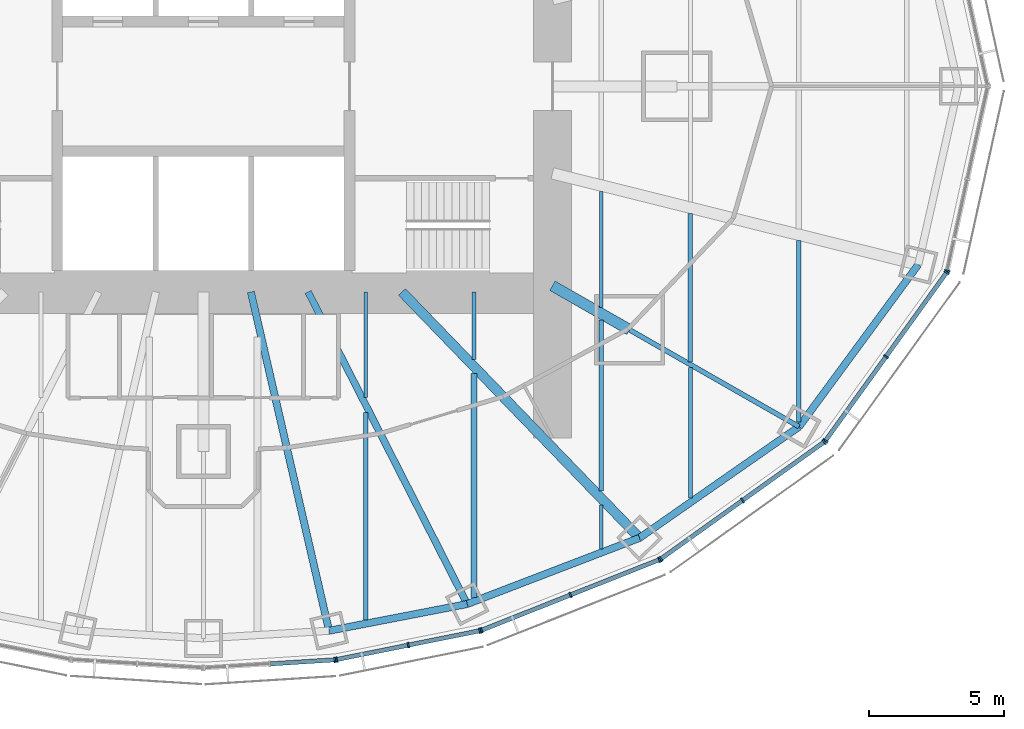
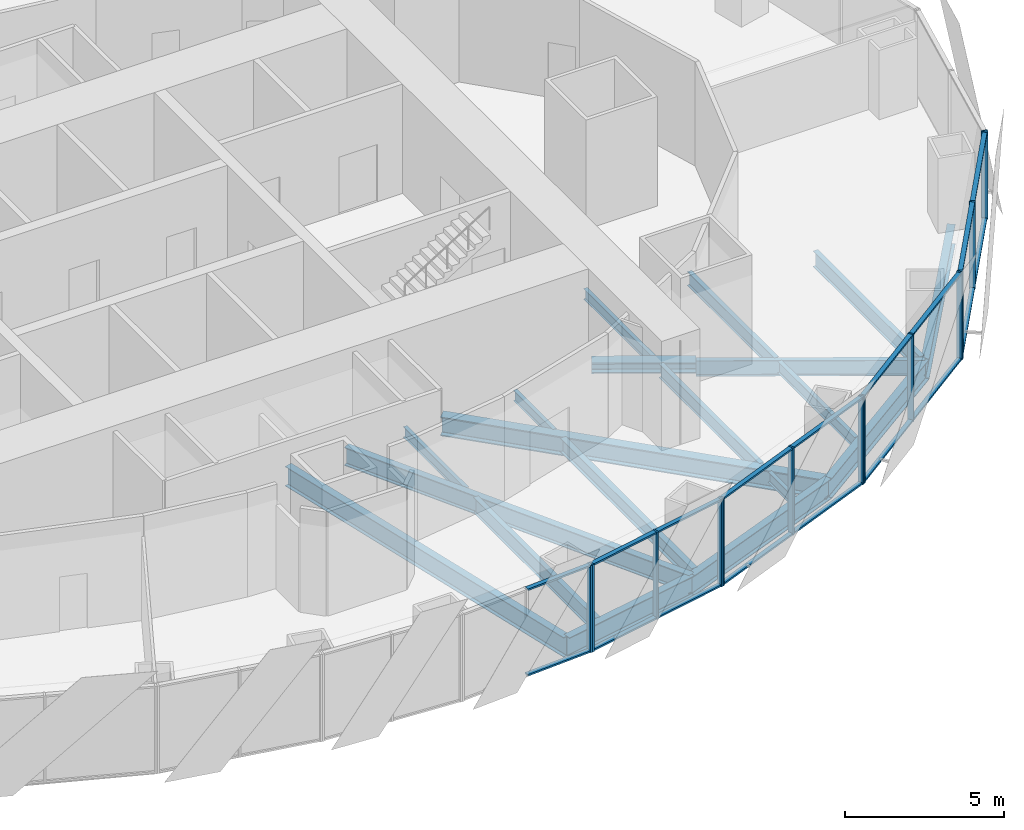
# One storey, part 5 of 18: 32 members, 19 beams, 6 elements without a shape of their own.
"""IFC4 building model written with IfcOpenShell, lengths in metres."""

from ifc_helpers import new_model, si_unit, direction, frame, origin, origin_2d, place, context, subcontext, project, spatial, rectangle, i_section, extrude, material, material_profile, profile_set, type_object, element, aggregate, save


model = new_model("IFC4")

# Units and contexts
model_context = context("Model", 3, precision=1e-05, world=origin(), true_north=direction((0.0, 1.0)))
body_context = subcontext(model_context, "Body", "Model", "MODEL_VIEW")
ifc_project = project(units=[si_unit("LENGTHUNIT", "METRE"), si_unit("AREAUNIT", "SQUARE_METRE"), si_unit("VOLUMEUNIT", "CUBIC_METRE"), si_unit("PLANEANGLEUNIT", "RADIAN"), si_unit("MASSUNIT", "GRAM", prefix="KILO")], contexts=[model_context])

# Site, building, storey
site_placement = place(None, origin())
site = spatial("IfcSite", under=ifc_project, at=site_placement, CompositionType="ELEMENT")
building_placement = place(site_placement, origin())
building = spatial("IfcBuilding", under=site, at=building_placement, Name="Lantaw Convention Tower", CompositionType="ELEMENT")
storey_placement = place(building_placement, frame((0.0, 0.0, 188.800048828125)))
storey = spatial("IfcBuildingStorey", under=building, at=storey_placement, Name="L44", CompositionType="ELEMENT", Elevation=188.800048828125)

# Beams
ifc_material_1 = material(Name="Steel ASTM A992", Category="steel")
ifc_material_profile_1 = material_profile(ifc_material_1, i_section(OverallWidth=0.2666015625, OverallDepth=0.76953125, WebThickness=0.015625, FlangeThickness=0.025390625, FilletRadius=0.0126953125, at=origin_2d()), Name="W30X132")
ifc_profile_set_1 = profile_set([ifc_material_profile_1], Name="Steel ASTM A992")
beam_type_1 = type_object("IfcBeamType", Name="Beam E W30X132", PredefinedType="SPANDREL", material=ifc_profile_set_1)
beam_1_placement = place(storey_placement, frame((4.64501953125, -20.1201171875, -0.534912109375), z_axis=(0.981796805654, 0.189934284446, 0.0), x_axis=(-0.189934284446, 0.981796805654, 0.0)))
element("IfcBeam", 1, at=beam_1_placement, inside=storey, type_object=beam_type_1, Name="Edge beam 20", PredefinedType="SPANDREL", context=body_context, shape_type="SweptSolid", body=[
    extrude(i_section(OverallWidth=0.2666015625, OverallDepth=0.76953125, WebThickness=0.015625, FlangeThickness=0.025390625, FilletRadius=0.0126953125, at=origin_2d()), origin(), (0.0, 0.0, 1.0), 5.1982421875),
])
beam_2_placement = place(storey_placement, frame((9.74853515625, -19.1328125, -0.534912109375), z_axis=(0.933691081977, 0.358079549033, 0.0), x_axis=(-0.358079549033, 0.933691081977, 0.0)))
element("IfcBeam", 2, at=beam_2_placement, inside=storey, type_object=beam_type_1, Name="Edge beam 21", PredefinedType="SPANDREL", context=body_context, shape_type="SweptSolid", body=[
    extrude(i_section(OverallWidth=0.2666015625, OverallDepth=0.76953125, WebThickness=0.015625, FlangeThickness=0.025390625, FilletRadius=0.0126953125, at=origin_2d()), origin(), (0.0, 0.0, 1.0), 6.821533203125),
])
beam_3_placement = place(storey_placement, frame((16.11767578125, -16.690185546875, -0.534912109375), z_axis=(0.820310765287, 0.57191804339, 0.0), x_axis=(-0.57191804339, 0.820310765287, 0.0)))
element("IfcBeam", 3, at=beam_3_placement, inside=storey, type_object=beam_type_1, Name="Edge beam 22", PredefinedType="SPANDREL", context=body_context, shape_type="SweptSolid", body=[
    extrude(i_section(OverallWidth=0.2666015625, OverallDepth=0.76953125, WebThickness=0.015625, FlangeThickness=0.025390625, FilletRadius=0.0126953125, at=origin_2d()), origin(), (0.0, 0.0, 1.0), 7.187744140625),
])
beam_4_placement = place(storey_placement, frame((22.013916015625, -12.579345703125, -0.534912109375), z_axis=(0.5923891972, 0.805651934176, 0.0), x_axis=(-0.805651934176, 0.5923891972, 0.0)))
element("IfcBeam", 4, at=beam_4_placement, inside=storey, type_object=beam_type_1, Name="Edge beam 23", PredefinedType="SPANDREL", context=body_context, shape_type="SweptSolid", body=[
    extrude(i_section(OverallWidth=0.2666015625, OverallDepth=0.76953125, WebThickness=0.015625, FlangeThickness=0.025390625, FilletRadius=0.0126953125, at=origin_2d()), origin(), (0.0, 0.0, 1.0), 7.437744140625),
])
ifc_material_profile_2 = material_profile(ifc_material_1, i_section(OverallWidth=0.177978515625, OverallDepth=0.599365234375, WebThickness=0.010009765625, FlangeThickness=0.012939453125, FilletRadius=0.012939453125, at=origin_2d()), Name="W24X55")
ifc_profile_set_2 = profile_set([ifc_material_profile_2], Name="Steel ASTM A992")
beam_type_2 = type_object("IfcBeamType", Name="Beam G W24X55", PredefinedType="BEAM", material=ifc_profile_set_2)
beam_5_placement = place(storey_placement, frame((15.75, -9.0, -0.44970703125), z_axis=(0.868245224608, -0.496135293993, 0.0), x_axis=(0.496135293993, 0.868245224608, 0.0)))
element("IfcBeam", 5, at=beam_5_placement, inside=storey, type_object=beam_type_2, Name="Floor girder on ray 23", PredefinedType="BEAM", context=body_context, shape_type="SweptSolid", body=[
    extrude(i_section(OverallWidth=0.177978515625, OverallDepth=0.599365234375, WebThickness=0.010009765625, FlangeThickness=0.012939453125, FilletRadius=0.012939453125, at=origin_2d()), origin(), (0.0, 0.0, 1.0), 7.21435546875),
])
ifc_material_profile_3 = material_profile(ifc_material_1, i_section(OverallWidth=0.25390625, OverallDepth=0.700927734375, WebThickness=0.015380859375, FlangeThickness=0.02783203125, FilletRadius=0.01513671875, at=origin_2d()), Name="W27X129")
ifc_profile_set_3 = profile_set([ifc_material_profile_3], Name="Steel ASTM A992")
beam_type_3 = type_object("IfcBeamType", Name="Beam G W27X129", PredefinedType="BEAM", material=ifc_profile_set_3)
beam_6_placement = place(storey_placement, frame((3.872314453125, -7.60009765625, -0.50048828125), z_axis=(0.453991051051, -0.891006243281, 0.0), x_axis=(0.891006243281, 0.453991051051, 0.0)))
element("IfcBeam", 6, at=beam_6_placement, inside=storey, type_object=beam_type_3, Name="Floor girder on ray 21", PredefinedType="BEAM", context=body_context, shape_type="SweptSolid", body=[
    extrude(i_section(OverallWidth=0.25390625, OverallDepth=0.700927734375, WebThickness=0.015380859375, FlangeThickness=0.02783203125, FilletRadius=0.01513671875, at=origin_2d()), origin(), (0.0, 0.0, 1.0), 12.943359375),
])
ifc_material_profile_4 = material_profile(ifc_material_1, i_section(OverallWidth=0.360595703125, OverallDepth=0.72900390625, WebThickness=0.023193359375, FlangeThickness=0.041015625, FilletRadius=0.0126953125, at=origin_2d()), Name="W27X235")
ifc_profile_set_4 = profile_set([ifc_material_profile_4], Name="Steel ASTM A992")
beam_type_4 = type_object("IfcBeamType", Name="Beam G W27X235", PredefinedType="BEAM", material=ifc_profile_set_4)
beam_7_placement = place(storey_placement, frame((7.33935546875, -7.60009765625, -0.5146484375), z_axis=(0.694663467407, -0.719334878239, 0.0), x_axis=(0.719334878239, 0.694663467407, 0.0)))
element("IfcBeam", 7, at=beam_7_placement, inside=storey, type_object=beam_type_4, Name="Floor girder on ray 22", PredefinedType="BEAM", context=body_context, shape_type="SweptSolid", body=[
    extrude(i_section(OverallWidth=0.360595703125, OverallDepth=0.72900390625, WebThickness=0.023193359375, FlangeThickness=0.041015625, FilletRadius=0.0126953125, at=origin_2d()), origin(), (0.0, 0.0, 1.0), 12.63671875),
])
ifc_material_profile_5 = material_profile(ifc_material_1, i_section(OverallWidth=0.2666015625, OverallDepth=0.7568359375, WebThickness=0.013916015625, FlangeThickness=0.019287109375, FilletRadius=0.0126953125, at=origin_2d()), Name="W30X108")
ifc_profile_set_5 = profile_set([ifc_material_profile_5], Name="Steel ASTM A992")
beam_type_5 = type_object("IfcBeamType", Name="Beam G W30X108", PredefinedType="BEAM", material=ifc_profile_set_5)
beam_8_placement = place(storey_placement, frame((1.754638671875, -7.60009765625, -0.528564453125), z_axis=(0.224944153104, -0.974371658036, 0.0), x_axis=(0.974371658036, 0.224944153104, 0.0)))
element("IfcBeam", 8, at=beam_8_placement, inside=storey, type_object=beam_type_5, Name="Floor girder on ray 20", PredefinedType="BEAM", context=body_context, shape_type="SweptSolid", body=[
    extrude(i_section(OverallWidth=0.2666015625, OverallDepth=0.7568359375, WebThickness=0.013916015625, FlangeThickness=0.019287109375, FilletRadius=0.0126953125, at=origin_2d()), origin(), (0.0, 0.0, 1.0), 12.849365234375),
])
ifc_material_profile_6 = material_profile(ifc_material_1, i_section(OverallWidth=0.40380859375, OverallDepth=0.406494140625, WebThickness=0.027099609375, FlangeThickness=0.043701171875, FilletRadius=0.01513671875, at=origin_2d()), Name="W14X233")
ifc_profile_set_6 = profile_set([ifc_material_profile_6], Name="Steel ASTM A992")
beam_type_6 = type_object("IfcBeamType", Name="Beam GM W14X233", PredefinedType="BEAM", material=ifc_profile_set_6)
beam_9_placement = place(storey_placement, frame((12.89990234375, -7.371337890625, -0.353271484375), z_axis=(0.868238565244, -0.496146947811, 0.0), x_axis=(0.496146947811, 0.868238565244, 0.0)))
element("IfcBeam", 9, at=beam_9_placement, inside=storey, type_object=beam_type_6, Name="Core link beam on ray 23", PredefinedType="BEAM", context=body_context, shape_type="SweptSolid", body=[
    extrude(i_section(OverallWidth=0.40380859375, OverallDepth=0.406494140625, WebThickness=0.027099609375, FlangeThickness=0.043701171875, FilletRadius=0.01513671875, at=origin_2d()), origin(), (0.0, 0.0, 1.0), 3.28271484375),
])
ifc_material_profile_7 = material_profile(ifc_material_1, i_section(OverallWidth=0.140380859375, OverallDepth=0.40380859375, WebThickness=0.007080078125, FlangeThickness=0.01123046875, FilletRadius=0.01025390625, at=origin_2d()), Name="W16X31")
ifc_profile_set_7 = profile_set([ifc_material_profile_7], Name="Steel ASTM A992")
beam_type_7 = type_object("IfcBeamType", Name="Beam J W16X31", PredefinedType="JOIST", material=ifc_profile_set_7)
beam_10_placement = place(storey_placement, frame((6.0, -11.495849609375, -0.35205078125), z_axis=(0.0, 1.0, 0.0), x_axis=(-1.0, 0.0, 0.0)))
element("IfcBeam", 10, at=beam_10_placement, inside=storey, type_object=beam_type_7, Name="Floor joist", PredefinedType="JOIST", context=body_context, shape_type="SweptSolid", body=[
    extrude(i_section(OverallWidth=0.140380859375, OverallDepth=0.40380859375, WebThickness=0.007080078125, FlangeThickness=0.01123046875, FilletRadius=0.01025390625, at=origin_2d()), origin(), (0.0, 0.0, 1.0), 3.895751953125),
])
beam_11_placement = place(storey_placement, frame((10.0, -10.095703125, -0.35205078125), z_axis=(0.0, 1.0, 0.0), x_axis=(-1.0, 0.0, 0.0)))
element("IfcBeam", 11, at=beam_11_placement, inside=storey, type_object=beam_type_7, Name="Floor joist", PredefinedType="JOIST", context=body_context, shape_type="SweptSolid", body=[
    extrude(i_section(OverallWidth=0.140380859375, OverallDepth=0.40380859375, WebThickness=0.007080078125, FlangeThickness=0.01123046875, FilletRadius=0.01025390625, at=origin_2d()), origin(), (0.0, 0.0, 1.0), 2.49560546875),
])
beam_12_placement = place(storey_placement, frame((14.699951171875, -17.091064453125, -0.35205078125), z_axis=(0.0, 1.0, 0.0), x_axis=(-1.0, 0.0, 0.0)))
element("IfcBeam", 12, at=beam_12_placement, inside=storey, type_object=beam_type_7, Name="Floor joist", PredefinedType="JOIST", context=body_context, shape_type="SweptSolid", body=[
    extrude(i_section(OverallWidth=0.140380859375, OverallDepth=0.40380859375, WebThickness=0.007080078125, FlangeThickness=0.01123046875, FilletRadius=0.01025390625, at=origin_2d()), origin(), (0.0, 0.0, 1.0), 1.609130859375),
])
beam_13_placement = place(storey_placement, frame((14.699951171875, -8.16748046875, -0.35205078125), z_axis=(0.0, 1.0, 0.0), x_axis=(-1.0, 0.0, 0.0)))
element("IfcBeam", 13, at=beam_13_placement, inside=storey, type_object=beam_type_7, Name="Floor joist", PredefinedType="JOIST", context=body_context, shape_type="SweptSolid", body=[
    extrude(i_section(OverallWidth=0.140380859375, OverallDepth=0.40380859375, WebThickness=0.007080078125, FlangeThickness=0.01123046875, FilletRadius=0.01025390625, at=origin_2d()), origin(), (0.0, 0.0, 1.0), 4.28515625),
])
ifc_material_profile_8 = material_profile(ifc_material_1, i_section(OverallWidth=0.15234375, OverallDepth=0.449462890625, WebThickness=0.007568359375, FlangeThickness=0.0107421875, FilletRadius=0.01025390625, at=origin_2d()), Name="W18X35")
ifc_profile_set_8 = profile_set([ifc_material_profile_8], Name="Steel ASTM A992")
beam_type_8 = type_object("IfcBeamType", Name="Beam J W18X35", PredefinedType="JOIST", material=ifc_profile_set_8)
beam_14_placement = place(storey_placement, frame((18.0, -15.21533203125, -0.374755859375), z_axis=(0.0, 1.0, 0.0), x_axis=(-1.0, 0.0, 0.0)))
element("IfcBeam", 14, at=beam_14_placement, inside=storey, type_object=beam_type_8, Name="Floor joist", PredefinedType="JOIST", context=body_context, shape_type="SweptSolid", body=[
    extrude(i_section(OverallWidth=0.15234375, OverallDepth=0.449462890625, WebThickness=0.007568359375, FlangeThickness=0.0107421875, FilletRadius=0.01025390625, at=origin_2d()), origin(), (0.0, 0.0, 1.0), 4.8271484375),
])
ifc_material_profile_9 = material_profile(ifc_material_1, i_section(OverallWidth=0.1650390625, OverallDepth=0.52587890625, WebThickness=0.0087890625, FlangeThickness=0.011474609375, FilletRadius=0.0126953125, at=origin_2d()), Name="W21X44")
ifc_profile_set_9 = profile_set([ifc_material_profile_9], Name="Steel ASTM A992")
beam_type_9 = type_object("IfcBeamType", Name="Beam J W21X44", PredefinedType="JOIST", material=ifc_profile_set_9)
beam_15_placement = place(storey_placement, frame((14.699951171875, -14.962646484375, -0.412841796875), z_axis=(0.0, 1.0, 0.0), x_axis=(-1.0, 0.0, 0.0)))
element("IfcBeam", 15, at=beam_15_placement, inside=storey, type_object=beam_type_9, Name="Floor joist", PredefinedType="JOIST", context=body_context, shape_type="SweptSolid", body=[
    extrude(i_section(OverallWidth=0.1650390625, OverallDepth=0.52587890625, WebThickness=0.0087890625, FlangeThickness=0.011474609375, FilletRadius=0.0126953125, at=origin_2d()), origin(), (0.0, 0.0, 1.0), 6.330078125),
])
beam_16_placement = place(storey_placement, frame((18.0, -10.18310546875, -0.412841796875), z_axis=(0.0, 1.0, 0.0), x_axis=(-1.0, 0.0, 0.0)))
element("IfcBeam", 16, at=beam_16_placement, inside=storey, type_object=beam_type_9, Name="Floor joist", PredefinedType="JOIST", context=body_context, shape_type="SweptSolid", body=[
    extrude(i_section(OverallWidth=0.1650390625, OverallDepth=0.52587890625, WebThickness=0.0087890625, FlangeThickness=0.011474609375, FilletRadius=0.0126953125, at=origin_2d()), origin(), (0.0, 0.0, 1.0), 5.47802734375),
])
ifc_material_profile_10 = material_profile(ifc_material_1, i_section(OverallWidth=0.2099609375, OverallDepth=0.535888671875, WebThickness=0.010986328125, FlangeThickness=0.017333984375, FilletRadius=0.012939453125, at=origin_2d()), Name="W21X68")
ifc_profile_set_10 = profile_set([ifc_material_profile_10], Name="Steel ASTM A992")
beam_type_10 = type_object("IfcBeamType", Name="Beam J W21X68", PredefinedType="JOIST", material=ifc_profile_set_10)
beam_17_placement = place(storey_placement, frame((10.0, -18.8935546875, -0.41796875), z_axis=(0.0, 1.0, 0.0), x_axis=(-1.0, 0.0, 0.0)))
element("IfcBeam", 17, at=beam_17_placement, inside=storey, type_object=beam_type_10, Name="Floor joist", PredefinedType="JOIST", context=body_context, shape_type="SweptSolid", body=[
    extrude(i_section(OverallWidth=0.2099609375, OverallDepth=0.535888671875, WebThickness=0.010986328125, FlangeThickness=0.017333984375, FilletRadius=0.012939453125, at=origin_2d()), origin(), (0.0, 0.0, 1.0), 8.278564453125),
])
ifc_material_profile_11 = material_profile(ifc_material_1, i_section(OverallWidth=0.177978515625, OverallDepth=0.599365234375, WebThickness=0.010009765625, FlangeThickness=0.012939453125, FilletRadius=0.012939453125, at=origin_2d()), Name="W24X55")
ifc_profile_set_11 = profile_set([ifc_material_profile_11], Name="Steel ASTM A992")
beam_type_11 = type_object("IfcBeamType", Name="Beam J W24X55", PredefinedType="JOIST", material=ifc_profile_set_11)
beam_18_placement = place(storey_placement, frame((6.0, -19.72216796875, -0.44970703125), z_axis=(0.0, 1.0, 0.0), x_axis=(-1.0, 0.0, 0.0)))
element("IfcBeam", 18, at=beam_18_placement, inside=storey, type_object=beam_type_11, Name="Floor joist", PredefinedType="JOIST", context=body_context, shape_type="SweptSolid", body=[
    extrude(i_section(OverallWidth=0.177978515625, OverallDepth=0.599365234375, WebThickness=0.010009765625, FlangeThickness=0.012939453125, FilletRadius=0.012939453125, at=origin_2d()), origin(), (0.0, 0.0, 1.0), 7.666748046875),
])
beam_19_placement = place(storey_placement, frame((22.0, -12.408935546875, -0.44970703125), z_axis=(0.0, 1.0, 0.0), x_axis=(-1.0, 0.0, 0.0)))
element("IfcBeam", 19, at=beam_19_placement, inside=storey, type_object=beam_type_11, Name="Floor joist", PredefinedType="JOIST", context=body_context, shape_type="SweptSolid", body=[
    extrude(i_section(OverallWidth=0.177978515625, OverallDepth=0.599365234375, WebThickness=0.010009765625, FlangeThickness=0.012939453125, FilletRadius=0.012939453125, at=origin_2d()), origin(), (0.0, 0.0, 1.0), 6.70654296875),
])

# Curtain wall, member
ifc_material_2 = material(Name="Aluminium framed curtain wall", Category="aluminium")
curtain_wall_type = type_object("IfcCurtainWallType", Name="Office curtain wall low rise, pale aluminium", PredefinedType="USERDEFINED", material=ifc_material_2)
curtain_wall_1_placement = place(storey_placement, origin())
curtain_wall_1 = element("IfcCurtainWall", 20, at=curtain_wall_1_placement, inside=storey, type_object=curtain_wall_type, Name="Office curtain wall low rise, pale aluminium L44", ObjectType="UNITISED CURTAIN WALL", PredefinedType="USERDEFINED")
ifc_material_3 = material(Name="Aluminium 6063-T6", Category="aluminium")
ifc_material_profile_12 = material_profile(ifc_material_3, rectangle(XDim=0.199951171875, YDim=0.06494140625, at=origin_2d()), Name="CW-O1 mullion 65x200")
ifc_profile_set_12 = profile_set([ifc_material_profile_12], Name="Aluminium 6063-T6")
member_type_1 = type_object("IfcMemberType", Name="CW-O1 mullion 65x200", PredefinedType="MULLION", material=ifc_profile_set_12)
member_1_placement = place(storey_placement, frame((4.860107421875, -21.19384765625, -0.150146484375), z_axis=(0.0, 0.0, 1.0), x_axis=(-0.062865059466, 0.998022035978, 0.0)))
member_1 = element("IfcMember", 21, at=member_1_placement, type_object=member_type_1, Name="CW-O1 mullion 3", PredefinedType="MULLION", context=body_context, shape_type="SweptSolid", body=[
    extrude(rectangle(XDim=0.199951171875, YDim=0.06494140625, at=origin_2d()), origin(), (0.0, 0.0, 1.0), 3.35009765625),
])

# Curtain wall, members
curtain_wall_2_placement = place(storey_placement, origin())
curtain_wall_2 = element("IfcCurtainWall", 22, at=curtain_wall_2_placement, inside=storey, type_object=curtain_wall_type, Name="Office curtain wall low rise, pale aluminium L44", ObjectType="UNITISED CURTAIN WALL", PredefinedType="USERDEFINED")
member_2_placement = place(storey_placement, frame((4.92431640625, -21.185302734375, -0.150146484375), z_axis=(0.0, 0.0, 1.0), x_axis=(-0.197506809659, 0.980301514912, 0.0)))
member_2 = element("IfcMember", 23, at=member_2_placement, type_object=member_type_1, Name="CW-O1 mullion 1", PredefinedType="MULLION", context=body_context, shape_type="SweptSolid", body=[
    extrude(rectangle(XDim=0.199951171875, YDim=0.06494140625, at=origin_2d()), origin(), (0.0, 0.0, 1.0), 3.35009765625),
])
member_3_placement = place(storey_placement, frame((7.5703125, -20.65234375, -0.150146484375), z_axis=(0.0, 0.0, 1.0), x_axis=(-0.197506809659, 0.980301514912, 0.0)))
member_3 = element("IfcMember", 24, at=member_3_placement, type_object=member_type_1, Name="CW-O1 mullion 2", PredefinedType="MULLION", context=body_context, shape_type="SweptSolid", body=[
    extrude(rectangle(XDim=0.199951171875, YDim=0.06494140625, at=origin_2d()), origin(), (0.0, 0.0, 1.0), 3.35009765625),
])
member_4_placement = place(storey_placement, frame((10.216064453125, -20.119140625, -0.150146484375), z_axis=(0.0, 0.0, 1.0), x_axis=(-0.197506809659, 0.980301514912, 0.0)))
member_4 = element("IfcMember", 25, at=member_4_placement, type_object=member_type_1, Name="CW-O1 mullion 3", PredefinedType="MULLION", context=body_context, shape_type="SweptSolid", body=[
    extrude(rectangle(XDim=0.199951171875, YDim=0.06494140625, at=origin_2d()), origin(), (0.0, 0.0, 1.0), 3.35009765625),
])

curtain_wall_3_placement = place(storey_placement, origin())
curtain_wall_3 = element("IfcCurtainWall", 26, at=curtain_wall_3_placement, inside=storey, type_object=curtain_wall_type, Name="Office curtain wall low rise, pale aluminium L44", ObjectType="UNITISED CURTAIN WALL", PredefinedType="USERDEFINED")
member_5_placement = place(storey_placement, frame((10.2783203125, -20.100830078125, -0.150146484375), z_axis=(0.0, 0.0, 1.0), x_axis=(-0.368701907483, 0.929547687544, 0.0)))
member_5 = element("IfcMember", 27, at=member_5_placement, type_object=member_type_1, Name="CW-O1 mullion 1", PredefinedType="MULLION", context=body_context, shape_type="SweptSolid", body=[
    extrude(rectangle(XDim=0.199951171875, YDim=0.06494140625, at=origin_2d()), origin(), (0.0, 0.0, 1.0), 3.35009765625),
])
member_6_placement = place(storey_placement, frame((13.56494140625, -18.797119140625, -0.150146484375), z_axis=(0.0, 0.0, 1.0), x_axis=(-0.368701907483, 0.929547687544, 0.0)))
member_6 = element("IfcMember", 28, at=member_6_placement, type_object=member_type_1, Name="CW-O1 mullion 2", PredefinedType="MULLION", context=body_context, shape_type="SweptSolid", body=[
    extrude(rectangle(XDim=0.199951171875, YDim=0.06494140625, at=origin_2d()), origin(), (0.0, 0.0, 1.0), 3.35009765625),
])
member_7_placement = place(storey_placement, frame((16.8515625, -17.49365234375, -0.150146484375), z_axis=(0.0, 0.0, 1.0), x_axis=(-0.368701907483, 0.929547687544, 0.0)))
member_7 = element("IfcMember", 29, at=member_7_placement, type_object=member_type_1, Name="CW-O1 mullion 3", PredefinedType="MULLION", context=body_context, shape_type="SweptSolid", body=[
    extrude(rectangle(XDim=0.199951171875, YDim=0.06494140625, at=origin_2d()), origin(), (0.0, 0.0, 1.0), 3.35009765625),
])

curtain_wall_4_placement = place(storey_placement, origin())
curtain_wall_4 = element("IfcCurtainWall", 30, at=curtain_wall_4_placement, inside=storey, type_object=curtain_wall_type, Name="Office curtain wall low rise, pale aluminium L44", ObjectType="UNITISED CURTAIN WALL", PredefinedType="USERDEFINED")
member_8_placement = place(storey_placement, frame((16.908203125, -17.462646484375, -0.150146484375), z_axis=(0.0, 0.0, 1.0), x_axis=(-0.581972695693, 0.813208325995, 0.0)))
member_8 = element("IfcMember", 31, at=member_8_placement, type_object=member_type_1, Name="CW-O1 mullion 1", PredefinedType="MULLION", context=body_context, shape_type="SweptSolid", body=[
    extrude(rectangle(XDim=0.199951171875, YDim=0.06494140625, at=origin_2d()), origin(), (0.0, 0.0, 1.0), 3.35009765625),
])
member_9_placement = place(storey_placement, frame((19.92529296875, -15.303466796875, -0.150146484375), z_axis=(0.0, 0.0, 1.0), x_axis=(-0.581972695693, 0.813208325995, 0.0)))
member_9 = element("IfcMember", 32, at=member_9_placement, type_object=member_type_1, Name="CW-O1 mullion 2", PredefinedType="MULLION", context=body_context, shape_type="SweptSolid", body=[
    extrude(rectangle(XDim=0.199951171875, YDim=0.06494140625, at=origin_2d()), origin(), (0.0, 0.0, 1.0), 3.35009765625),
])
member_10_placement = place(storey_placement, frame((22.942626953125, -13.14404296875, -0.150146484375), z_axis=(0.0, 0.0, 1.0), x_axis=(-0.581972695693, 0.813208325995, 0.0)))
member_10 = element("IfcMember", 33, at=member_10_placement, type_object=member_type_1, Name="CW-O1 mullion 3", PredefinedType="MULLION", context=body_context, shape_type="SweptSolid", body=[
    extrude(rectangle(XDim=0.199951171875, YDim=0.06494140625, at=origin_2d()), origin(), (0.0, 0.0, 1.0), 3.35009765625),
])

curtain_wall_5_placement = place(storey_placement, origin())
curtain_wall_5 = element("IfcCurtainWall", 34, at=curtain_wall_5_placement, inside=storey, type_object=curtain_wall_type, Name="Office curtain wall low rise, pale aluminium L44", ObjectType="UNITISED CURTAIN WALL", PredefinedType="USERDEFINED")
member_11_placement = place(storey_placement, frame((22.988037109375, -13.098876953125, -0.150146484375), z_axis=(0.0, 0.0, 1.0), x_axis=(-0.811384633629, 0.584512597221, 0.0)))
member_11 = element("IfcMember", 35, at=member_11_placement, type_object=member_type_1, Name="CW-O1 mullion 1", PredefinedType="MULLION", context=body_context, shape_type="SweptSolid", body=[
    extrude(rectangle(XDim=0.199951171875, YDim=0.06494140625, at=origin_2d()), origin(), (0.0, 0.0, 1.0), 3.35009765625),
])
member_12_placement = place(storey_placement, frame((25.22802734375, -9.9892578125, -0.150146484375), z_axis=(0.0, 0.0, 1.0), x_axis=(-0.811384633629, 0.584512597221, 0.0)))
member_12 = element("IfcMember", 36, at=member_12_placement, type_object=member_type_1, Name="CW-O1 mullion 2", PredefinedType="MULLION", context=body_context, shape_type="SweptSolid", body=[
    extrude(rectangle(XDim=0.199951171875, YDim=0.06494140625, at=origin_2d()), origin(), (0.0, 0.0, 1.0), 3.35009765625),
])
member_13_placement = place(storey_placement, frame((27.46826171875, -6.879638671875, -0.150146484375), z_axis=(0.0, 0.0, 1.0), x_axis=(-0.811384633629, 0.584512597221, 0.0)))
member_13 = element("IfcMember", 37, at=member_13_placement, type_object=member_type_1, Name="CW-O1 mullion 3", PredefinedType="MULLION", context=body_context, shape_type="SweptSolid", body=[
    extrude(rectangle(XDim=0.199951171875, YDim=0.06494140625, at=origin_2d()), origin(), (0.0, 0.0, 1.0), 3.35009765625),
])

# Curtain wall, member
curtain_wall_6_placement = place(storey_placement, origin())
curtain_wall_6 = element("IfcCurtainWall", 38, at=curtain_wall_6_placement, inside=storey, type_object=curtain_wall_type, Name="Office curtain wall low rise, pale aluminium L44", ObjectType="UNITISED CURTAIN WALL", PredefinedType="USERDEFINED")
member_14_placement = place(storey_placement, frame((27.494140625, -6.821533203125, -0.150146484375), z_axis=(0.0, 0.0, 1.0), x_axis=(-0.9764936509, 0.215546166174, 0.0)))
member_14 = element("IfcMember", 39, at=member_14_placement, type_object=member_type_1, Name="CW-O1 mullion 1", PredefinedType="MULLION", context=body_context, shape_type="SweptSolid", body=[
    extrude(rectangle(XDim=0.199951171875, YDim=0.06494140625, at=origin_2d()), origin(), (0.0, 0.0, 1.0), 3.35009765625),
])
aggregate(curtain_wall_6, [member_14])

# Member
ifc_material_profile_13 = material_profile(ifc_material_3, rectangle(XDim=0.159912109375, YDim=0.06494140625, at=origin_2d()), Name="CW-O1 transom 65x160")
ifc_profile_set_13 = profile_set([ifc_material_profile_13], Name="Aluminium 6063-T6")
member_type_2 = type_object("IfcMemberType", Name="CW-O1 transom 65x160", PredefinedType="USERDEFINED", material=ifc_profile_set_13)
member_15_placement = place(storey_placement, frame((2.478759765625, -21.34375, -0.117431640625), z_axis=(0.998022188463, 0.062862638625, 0.0), x_axis=(-0.062862638625, 0.998022188463, 0.0)))
member_15 = element("IfcMember", 40, at=member_15_placement, type_object=member_type_2, Name="CW-O1 transom 2.1", ObjectType="TRANSOM", PredefinedType="USERDEFINED", context=body_context, shape_type="SweptSolid", body=[
    extrude(rectangle(XDim=0.159912109375, YDim=0.06494140625, at=origin_2d()), origin(), (0.0, 0.0, 1.0), 2.353515625),
])

member_16_placement = place(storey_placement, frame((2.478759765625, -21.34375, 3.16748046875), z_axis=(0.998022188463, 0.062862638625, 0.0), x_axis=(-0.062862638625, 0.998022188463, 0.0)))
member_16 = element("IfcMember", 41, at=member_16_placement, type_object=member_type_2, Name="CW-O1 transom 2.2", ObjectType="TRANSOM", PredefinedType="USERDEFINED", context=body_context, shape_type="SweptSolid", body=[
    extrude(rectangle(XDim=0.159912109375, YDim=0.06494140625, at=origin_2d()), origin(), (0.0, 0.0, 1.0), 2.353515625),
])

aggregate(curtain_wall_1, [member_1, member_15, member_16])

member_17_placement = place(storey_placement, frame((4.956298828125, -21.178955078125, -0.117431640625), z_axis=(0.980298027092, 0.197524120247, 0.0), x_axis=(-0.197524120247, 0.980298027092, 0.0)))
member_17 = element("IfcMember", 42, at=member_17_placement, type_object=member_type_2, Name="CW-O1 transom 1.1", ObjectType="TRANSOM", PredefinedType="USERDEFINED", context=body_context, shape_type="SweptSolid", body=[
    extrude(rectangle(XDim=0.159912109375, YDim=0.06494140625, at=origin_2d()), origin(), (0.0, 0.0, 1.0), 2.634033203125),
])

member_18_placement = place(storey_placement, frame((4.956298828125, -21.178955078125, 3.16748046875), z_axis=(0.980298027092, 0.197524120247, 0.0), x_axis=(-0.197524120247, 0.980298027092, 0.0)))
member_18 = element("IfcMember", 43, at=member_18_placement, type_object=member_type_2, Name="CW-O1 transom 1.2", ObjectType="TRANSOM", PredefinedType="USERDEFINED", context=body_context, shape_type="SweptSolid", body=[
    extrude(rectangle(XDim=0.159912109375, YDim=0.06494140625, at=origin_2d()), origin(), (0.0, 0.0, 1.0), 2.634033203125),
])

member_19_placement = place(storey_placement, frame((7.60205078125, -20.64599609375, -0.117431640625), z_axis=(0.980301643003, 0.197506173891, 0.0), x_axis=(-0.197506173891, 0.980301643003, 0.0)))
member_19 = element("IfcMember", 44, at=member_19_placement, type_object=member_type_2, Name="CW-O1 transom 2.1", ObjectType="TRANSOM", PredefinedType="USERDEFINED", context=body_context, shape_type="SweptSolid", body=[
    extrude(rectangle(XDim=0.159912109375, YDim=0.06494140625, at=origin_2d()), origin(), (0.0, 0.0, 1.0), 2.63427734375),
])

member_20_placement = place(storey_placement, frame((7.60205078125, -20.64599609375, 3.16748046875), z_axis=(0.980301643003, 0.197506173891, 0.0), x_axis=(-0.197506173891, 0.980301643003, 0.0)))
member_20 = element("IfcMember", 45, at=member_20_placement, type_object=member_type_2, Name="CW-O1 transom 2.2", ObjectType="TRANSOM", PredefinedType="USERDEFINED", context=body_context, shape_type="SweptSolid", body=[
    extrude(rectangle(XDim=0.159912109375, YDim=0.06494140625, at=origin_2d()), origin(), (0.0, 0.0, 1.0), 2.63427734375),
])

aggregate(curtain_wall_2, [member_2, member_3, member_4, member_17, member_18, member_19, member_20])

member_21_placement = place(storey_placement, frame((10.308349609375, -20.0888671875, -0.117431640625), z_axis=(0.929540081544, 0.368721082668, 0.0), x_axis=(-0.368721082668, 0.929540081544, 0.0)))
member_21 = element("IfcMember", 46, at=member_21_placement, type_object=member_type_2, Name="CW-O1 transom 1.1", ObjectType="TRANSOM", PredefinedType="USERDEFINED", context=body_context, shape_type="SweptSolid", body=[
    extrude(rectangle(XDim=0.159912109375, YDim=0.06494140625, at=origin_2d()), origin(), (0.0, 0.0, 1.0), 3.470947265625),
])

member_22_placement = place(storey_placement, frame((10.308349609375, -20.0888671875, 3.16748046875), z_axis=(0.929540081544, 0.368721082668, 0.0), x_axis=(-0.368721082668, 0.929540081544, 0.0)))
member_22 = element("IfcMember", 47, at=member_22_placement, type_object=member_type_2, Name="CW-O1 transom 1.2", ObjectType="TRANSOM", PredefinedType="USERDEFINED", context=body_context, shape_type="SweptSolid", body=[
    extrude(rectangle(XDim=0.159912109375, YDim=0.06494140625, at=origin_2d()), origin(), (0.0, 0.0, 1.0), 3.470947265625),
])

member_23_placement = place(storey_placement, frame((13.594970703125, -18.78515625, -0.117431640625), z_axis=(0.929564188507, 0.368660303592, 0.0), x_axis=(-0.368660303592, 0.929564188507, 0.0)))
member_23 = element("IfcMember", 48, at=member_23_placement, type_object=member_type_2, Name="CW-O1 transom 2.1", ObjectType="TRANSOM", PredefinedType="USERDEFINED", context=body_context, shape_type="SweptSolid", body=[
    extrude(rectangle(XDim=0.159912109375, YDim=0.06494140625, at=origin_2d()), origin(), (0.0, 0.0, 1.0), 3.470703125),
])

member_24_placement = place(storey_placement, frame((13.594970703125, -18.78515625, 3.16748046875), z_axis=(0.929564188507, 0.368660303592, 0.0), x_axis=(-0.368660303592, 0.929564188507, 0.0)))
member_24 = element("IfcMember", 49, at=member_24_placement, type_object=member_type_2, Name="CW-O1 transom 2.2", ObjectType="TRANSOM", PredefinedType="USERDEFINED", context=body_context, shape_type="SweptSolid", body=[
    extrude(rectangle(XDim=0.159912109375, YDim=0.06494140625, at=origin_2d()), origin(), (0.0, 0.0, 1.0), 3.470703125),
])

aggregate(curtain_wall_3, [member_5, member_6, member_7, member_21, member_22, member_23, member_24])

member_25_placement = place(storey_placement, frame((16.9345703125, -17.44384765625, -0.117431640625), z_axis=(0.813190089133, 0.581998177777, 0.0), x_axis=(-0.581998177777, 0.813190089133, 0.0)))
member_25 = element("IfcMember", 50, at=member_25_placement, type_object=member_type_2, Name="CW-O1 transom 1.1", ObjectType="TRANSOM", PredefinedType="USERDEFINED", context=body_context, shape_type="SweptSolid", body=[
    extrude(rectangle(XDim=0.159912109375, YDim=0.06494140625, at=origin_2d()), origin(), (0.0, 0.0, 1.0), 3.645263671875),
])

member_26_placement = place(storey_placement, frame((16.9345703125, -17.44384765625, 3.16748046875), z_axis=(0.813190089133, 0.581998177777, 0.0), x_axis=(-0.581998177777, 0.813190089133, 0.0)))
member_26 = element("IfcMember", 51, at=member_26_placement, type_object=member_type_2, Name="CW-O1 transom 1.2", ObjectType="TRANSOM", PredefinedType="USERDEFINED", context=body_context, shape_type="SweptSolid", body=[
    extrude(rectangle(XDim=0.159912109375, YDim=0.06494140625, at=origin_2d()), origin(), (0.0, 0.0, 1.0), 3.645263671875),
])

member_27_placement = place(storey_placement, frame((19.951904296875, -15.284423828125, -0.117431640625), z_axis=(0.813221785972, 0.581953887194, 0.0), x_axis=(-0.581953887194, 0.813221785972, 0.0)))
member_27 = element("IfcMember", 52, at=member_27_placement, type_object=member_type_2, Name="CW-O1 transom 2.1", ObjectType="TRANSOM", PredefinedType="USERDEFINED", context=body_context, shape_type="SweptSolid", body=[
    extrude(rectangle(XDim=0.159912109375, YDim=0.06494140625, at=origin_2d()), origin(), (0.0, 0.0, 1.0), 3.645263671875),
])

member_28_placement = place(storey_placement, frame((19.951904296875, -15.284423828125, 3.16748046875), z_axis=(0.813221785972, 0.581953887194, 0.0), x_axis=(-0.581953887194, 0.813221785972, 0.0)))
member_28 = element("IfcMember", 53, at=member_28_placement, type_object=member_type_2, Name="CW-O1 transom 2.2", ObjectType="TRANSOM", PredefinedType="USERDEFINED", context=body_context, shape_type="SweptSolid", body=[
    extrude(rectangle(XDim=0.159912109375, YDim=0.06494140625, at=origin_2d()), origin(), (0.0, 0.0, 1.0), 3.645263671875),
])

aggregate(curtain_wall_4, [member_8, member_9, member_10, member_25, member_26, member_27, member_28])

member_29_placement = place(storey_placement, frame((23.007080078125, -13.072509765625, -0.117431640625), z_axis=(0.584512973979, 0.811384362217, 0.0), x_axis=(-0.811384362217, 0.584512973979, 0.0)))
member_29 = element("IfcMember", 54, at=member_29_placement, type_object=member_type_2, Name="CW-O1 transom 1.1", ObjectType="TRANSOM", PredefinedType="USERDEFINED", context=body_context, shape_type="SweptSolid", body=[
    extrude(rectangle(XDim=0.159912109375, YDim=0.06494140625, at=origin_2d()), origin(), (0.0, 0.0, 1.0), 3.767578125),
])

member_30_placement = place(storey_placement, frame((23.007080078125, -13.072509765625, 3.16748046875), z_axis=(0.584512973979, 0.811384362217, 0.0), x_axis=(-0.811384362217, 0.584512973979, 0.0)))
member_30 = element("IfcMember", 55, at=member_30_placement, type_object=member_type_2, Name="CW-O1 transom 1.2", ObjectType="TRANSOM", PredefinedType="USERDEFINED", context=body_context, shape_type="SweptSolid", body=[
    extrude(rectangle(XDim=0.159912109375, YDim=0.06494140625, at=origin_2d()), origin(), (0.0, 0.0, 1.0), 3.767578125),
])

member_31_placement = place(storey_placement, frame((25.2470703125, -9.962890625, -0.117431640625), z_axis=(0.584512973979, 0.811384362217, 0.0), x_axis=(-0.811384362217, 0.584512973979, 0.0)))
member_31 = element("IfcMember", 56, at=member_31_placement, type_object=member_type_2, Name="CW-O1 transom 2.1", ObjectType="TRANSOM", PredefinedType="USERDEFINED", context=body_context, shape_type="SweptSolid", body=[
    extrude(rectangle(XDim=0.159912109375, YDim=0.06494140625, at=origin_2d()), origin(), (0.0, 0.0, 1.0), 3.767578125),
])

member_32_placement = place(storey_placement, frame((25.2470703125, -9.962890625, 3.16748046875), z_axis=(0.584512973979, 0.811384362217, 0.0), x_axis=(-0.811384362217, 0.584512973979, 0.0)))
member_32 = element("IfcMember", 57, at=member_32_placement, type_object=member_type_2, Name="CW-O1 transom 2.2", ObjectType="TRANSOM", PredefinedType="USERDEFINED", context=body_context, shape_type="SweptSolid", body=[
    extrude(rectangle(XDim=0.159912109375, YDim=0.06494140625, at=origin_2d()), origin(), (0.0, 0.0, 1.0), 3.767578125),
])

aggregate(curtain_wall_5, [member_11, member_12, member_13, member_29, member_30, member_31, member_32])

save(model, "model.ifc")
